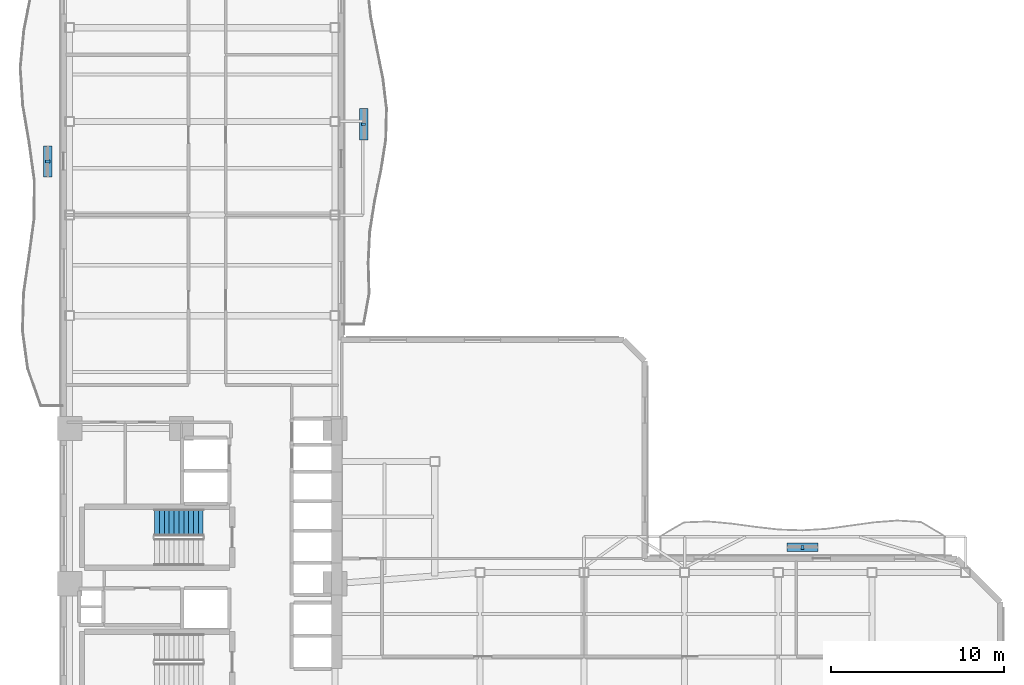
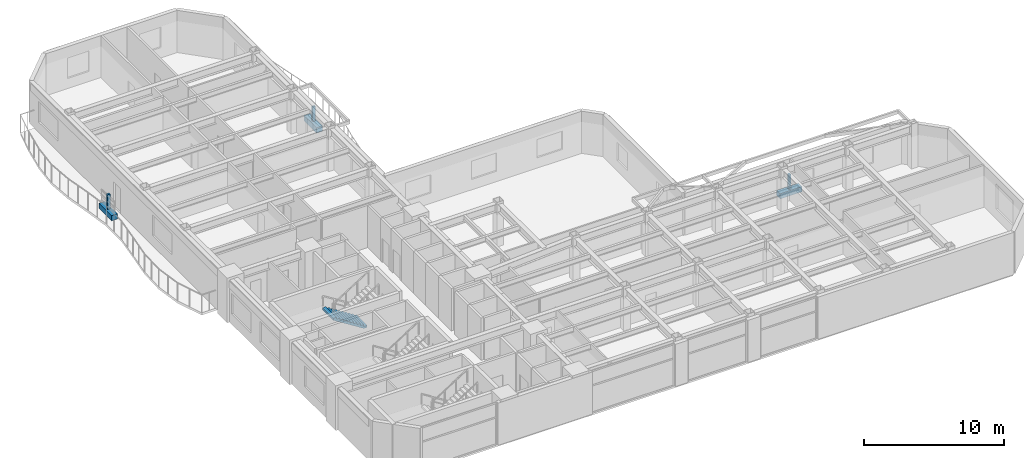
# One storey, part 13 of 16: 6 discrete accessories, 1 stair flight, 1 element without a shape of its own.
"""IFC4 building model written with IfcOpenShell, lengths in metres."""

from ifc_helpers import new_model, si_unit, direction, frame, origin, origin_2d, place, context, subcontext, project, spatial, polyline, rectangle, outline, extrude, material, type_object, element, aggregate, save


model = new_model("IFC4")

# Units and contexts
model_context = context("Model", 3, precision=1e-05, world=origin(), true_north=direction((0.0, 1.0)))
body_context = subcontext(model_context, "Body", "Model", "MODEL_VIEW")
ifc_project = project(units=[si_unit("LENGTHUNIT", "METRE"), si_unit("AREAUNIT", "SQUARE_METRE"), si_unit("VOLUMEUNIT", "CUBIC_METRE"), si_unit("PLANEANGLEUNIT", "RADIAN"), si_unit("MASSUNIT", "GRAM", prefix="KILO")], contexts=[model_context])

# Site, building, storey
site_placement = place(None, origin())
site = spatial("IfcSite", under=ifc_project, at=site_placement, CompositionType="ELEMENT")
building_placement = place(site_placement, origin())
building = spatial("IfcBuilding", under=site, at=building_placement, Name="Mawjaban Terraces University", CompositionType="ELEMENT")
storey_placement = place(building_placement, frame((0.0, 0.0, 38.800048828125)))
storey = spatial("IfcBuildingStorey", under=building, at=storey_placement, Name="L08", CompositionType="ELEMENT", Elevation=38.800048828125)

# Stair, stair flight
ifc_material_1 = material(Name="Concrete C40/50", Category="concrete")
stair_type = type_object("IfcStairType", Name="Stair_Core1550_H39", PredefinedType="HALF_TURN_STAIR", material=ifc_material_1)
stair_placement = place(storey_placement, origin())
stair = element("IfcStair", 1, at=stair_placement, inside=storey, type_object=stair_type, Name="L08 Core Exit Stair 2", PredefinedType="HALF_TURN_STAIR")
stair_flight_type = type_object("IfcStairFlightType", Name="Flight_Core1550_H39", PredefinedType="STRAIGHT", material=ifc_material_1)
stair_flight_placement = place(storey_placement, frame((30.050048828125, 18.074951171875, 0.0), z_axis=(0.0, 0.0, 1.0), x_axis=(-1.0, 0.0, 0.0)))
stair_flight = element("IfcStairFlight", 2, at=stair_flight_placement, type_object=stair_flight_type, Name="ST-2 flight 1", NumberOfRisers=11, NumberOfTreads=10, PredefinedType="STRAIGHT", RiserHeight=0.177272727, TreadLength=0.28, context=body_context, shape_type="SweptSolid", body=[
    extrude(outline(polyline([(0.0, 0.0), (0.0, 0.17724609375), (0.280029296875, 0.17724609375), (0.280029296875, 0.3544921875), (0.56005859375, 0.3544921875), (0.56005859375, 0.53173828125), (0.840087890625, 0.53173828125), (0.840087890625, 0.708984375), (1.1201171875, 0.708984375), (1.1201171875, 0.886474609375), (1.39990234375, 0.886474609375), (1.39990234375, 1.063720703125), (1.679931640625, 1.063720703125), (1.679931640625, 1.240966796875), (1.9599609375, 1.240966796875), (1.9599609375, 1.418212890625), (2.239990234375, 1.418212890625), (2.239990234375, 1.595458984375), (2.52001953125, 1.595458984375), (2.52001953125, 1.772705078125), (2.800048828125, 1.772705078125), (2.800048828125, 1.949951171875), (2.800048828125, 1.59521484375), (0.2802734375, 0.0), (0.0, 0.0)])), frame((0.0, 0.77490234375, 0.0), z_axis=(0.0, -1.0, 0.0), x_axis=(1.0, 0.0, 0.0)), (0.0, 0.0, 1.0), 1.550048828125),
])
aggregate(stair, [stair_flight])

# Discrete accessories
ifc_material_2 = material(Name="Stainless steel 316L", Category="steel")
discrete_accessory_type_1 = type_object("IfcDiscreteAccessoryType", Name="FacadeScreenBracket_Steel", PredefinedType="BRACKET", material=ifc_material_2)
for number, where, z_axis, x_axis, name in (
    (3, (21.093017578125, 38.883056640625, 0.419921875), (0.0, 0.0, 1.0), (0.0, 1.0, 0.0), "L08 Balcony Screen Support Bracket west"),
    (4, (64.60009765625, 16.64501953125, 0.419921875), (0.0, 0.0, 1.0), (1.0, 0.0, 0.0), "L08 Balcony Screen Support Bracket inner_north"),
    (5, (39.297119140625, 41.037109375, 0.419921875), (0.0, 0.0, 1.0), (0.0, 1.0, 0.0), "L08 Balcony Screen Support Bracket inner_east"),
):
    element("IfcDiscreteAccessory", number, at=place(storey_placement, frame(where, z_axis=z_axis, x_axis=x_axis)), inside=storey, type_object=discrete_accessory_type_1, Name=name, PredefinedType="BRACKET", context=body_context, shape_type="SweptSolid", body=[
        extrude(rectangle(XDim=0.159912109375, YDim=0.239990234375, at=origin_2d()), origin(), (0.0, 0.0, 1.0), 1.300048828125),
    ])
ifc_material_3 = material(Name="Precast architectural terracotta planter with engineered planting soil", Category="masonry")
discrete_accessory_type_2 = type_object("IfcDiscreteAccessoryType", Name="IrrigatedPlanterTrough_450", PredefinedType="USERDEFINED", material=ifc_material_3)
for number, where, z_axis, x_axis, name in (
    (6, (21.093017578125, 38.883056640625, -0.0048828125), (0.0, 0.0, 1.0), (0.0, 1.0, 0.0), "L08 Balcony Irrigated Planter west"),
    (7, (64.60009765625, 16.64501953125, -0.0048828125), (0.0, 0.0, 1.0), (1.0, 0.0, 0.0), "L08 Balcony Irrigated Planter inner_north"),
    (8, (39.297119140625, 41.037109375, -0.0048828125), (0.0, 0.0, 1.0), (0.0, 1.0, 0.0), "L08 Balcony Irrigated Planter inner_east"),
):
    element("IfcDiscreteAccessory", number, at=place(storey_placement, frame(where, z_axis=z_axis, x_axis=x_axis)), inside=storey, type_object=discrete_accessory_type_2, Name=name, ObjectType="PLANTER", PredefinedType="USERDEFINED", context=body_context, shape_type="SweptSolid", body=[
        extrude(rectangle(XDim=1.800048828125, YDim=0.5, at=origin_2d()), origin(), (0.0, 0.0, 1.0), 0.449951171875),
    ])

save(model, "model.ifc")
